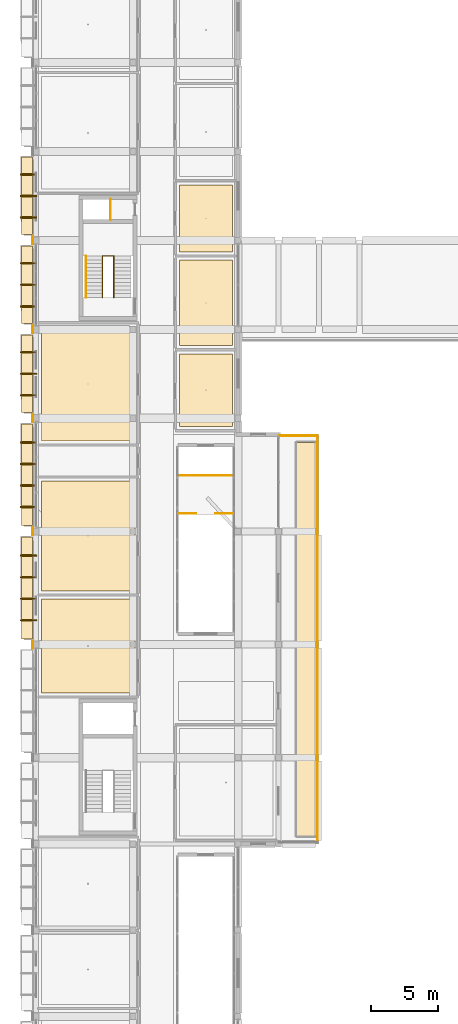
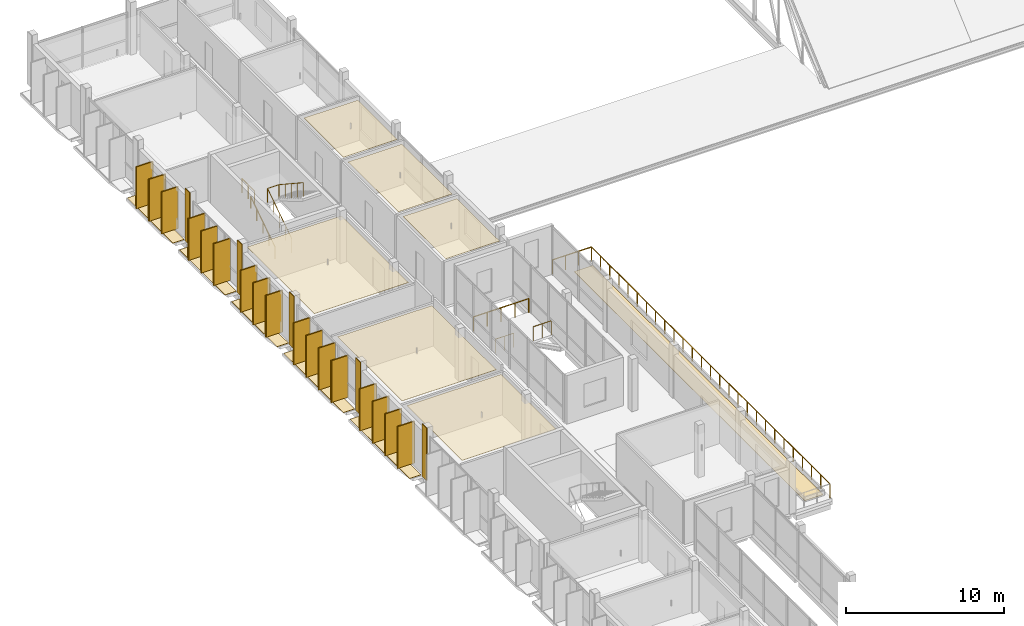
# One storey, part 79 of 86: 34 coverings, 17 shading devices, 8 railings.
"""IFC4 building model written with IfcOpenShell, lengths in metres."""

from ifc_helpers import new_model, si_unit, derived_unit, direction, frame, origin, origin_2d, place, context, subcontext, project, spatial, polyline, rectangle, circle, outline, extrude, material, layer, layer_set, type_object, element, save


model = new_model("IFC4")

# Units and contexts
model_context = context("Model", 3, precision=1e-05, world=origin(), true_north=direction((0.0, 1.0)))
body_context = subcontext(model_context, "Body", "Model", "MODEL_VIEW")
ifc_project = project(units=[si_unit("LENGTHUNIT", "METRE"), si_unit("AREAUNIT", "SQUARE_METRE"), si_unit("VOLUMEUNIT", "CUBIC_METRE"), si_unit("PLANEANGLEUNIT", "RADIAN"), si_unit("MASSUNIT", "GRAM", prefix="KILO"), derived_unit("THERMALTRANSMITTANCEUNIT", [(si_unit("POWERUNIT", "WATT"), 1), (si_unit("LENGTHUNIT", "METRE"), -2), (si_unit("THERMODYNAMICTEMPERATUREUNIT", "KELVIN"), -1)])], contexts=[model_context])

# Site, building, storey
site_placement = place(None, origin())
site = spatial("IfcSite", under=ifc_project, at=site_placement, CompositionType="ELEMENT")
building_placement = place(site_placement, origin())
building = spatial("IfcBuilding", under=site, at=building_placement, Name="Braskholm Square Health Centre", CompositionType="ELEMENT")
storey_placement = place(building_placement, frame((0.0, 0.0, 13.5)))
storey = spatial("IfcBuildingStorey", under=building, at=storey_placement, Name="L04", CompositionType="ELEMENT", Elevation=13.5)

# Coverings
ifc_material_1 = material(Name="Fire-rated gypsum board barrier")
ifc_layer_1 = layer(ifc_material_1, 0.02490234375)
ifc_layer_set_1 = layer_set([ifc_layer_1], Name="Fire-rated gypsum board barrier")
covering_type_1 = type_object("IfcCoveringType", Name="AcousticClinicalCeilingTile", PredefinedType="CEILING", material=ifc_layer_set_1)
covering_1_placement = place(storey_placement, frame((0.0, 0.0, 3.31494140625)))
element("IfcCovering", 1, at=covering_1_placement, inside=storey, type_object=covering_type_1, Name="Acoustic ceiling L04-103", PredefinedType="CEILING", context=body_context, shape_type="SweptSolid", body=[
    extrude(outline(polyline([(4.6201171875, 60.199951171875), (11.5, 60.199951171875), (11.5, 67.179931640625), (4.6201171875, 67.179931640625), (4.6201171875, 60.199951171875)])), origin(), (0.0, 0.0, 1.0), 0.025146484375),
])
covering_2_placement = place(storey_placement, frame((0.0, 0.0, 3.31494140625)))
element("IfcCovering", 2, at=covering_2_placement, inside=storey, type_object=covering_type_1, Name="Acoustic ceiling L04-104", PredefinedType="CEILING", context=body_context, shape_type="SweptSolid", body=[
    extrude(outline(polyline([(4.6201171875, 67.780029296875), (11.5, 67.780029296875), (11.5, 75.949951171875), (4.6201171875, 75.949951171875), (4.6201171875, 67.780029296875)])), origin(), (0.0, 0.0, 1.0), 0.025146484375),
])
covering_3_placement = place(storey_placement, frame((0.0, 0.0, 3.31494140625)))
element("IfcCovering", 3, at=covering_3_placement, inside=storey, type_object=covering_type_1, Name="Acoustic ceiling L04-106", PredefinedType="CEILING", context=body_context, shape_type="SweptSolid", body=[
    extrude(outline(polyline([(4.6201171875, 78.89990234375), (11.5, 78.89990234375), (11.5, 87.39990234375), (4.6201171875, 87.39990234375), (4.6201171875, 78.89990234375)])), origin(), (0.0, 0.0, 1.0), 0.025146484375),
])
covering_4_placement = place(storey_placement, frame((0.0, 0.0, 3.31494140625)))
element("IfcCovering", 4, at=covering_4_placement, inside=storey, type_object=covering_type_1, Name="Acoustic ceiling L04-115", PredefinedType="CEILING", context=body_context, shape_type="SweptSolid", body=[
    extrude(outline(polyline([(14.85009765625, 79.97998046875), (18.780029296875, 79.97998046875), (18.780029296875, 85.3798828125), (14.85009765625, 85.3798828125), (14.85009765625, 79.97998046875)])), origin(), (0.0, 0.0, 1.0), 0.025146484375),
])
covering_5_placement = place(storey_placement, frame((0.0, 0.0, 3.31494140625)))
element("IfcCovering", 5, at=covering_5_placement, inside=storey, type_object=covering_type_1, Name="Acoustic ceiling L04-116", PredefinedType="CEILING", context=body_context, shape_type="SweptSolid", body=[
    extrude(outline(polyline([(14.85009765625, 85.97998046875), (18.780029296875, 85.97998046875), (18.780029296875, 92.330078125), (14.85009765625, 92.330078125), (14.85009765625, 85.97998046875)])), origin(), (0.0, 0.0, 1.0), 0.025146484375),
])
covering_6_placement = place(storey_placement, frame((0.0, 0.0, 3.31494140625)))
element("IfcCovering", 6, at=covering_6_placement, inside=storey, type_object=covering_type_1, Name="Acoustic ceiling L04-117", PredefinedType="CEILING", context=body_context, shape_type="SweptSolid", body=[
    extrude(outline(polyline([(14.85009765625, 92.929931640625), (18.780029296875, 92.929931640625), (18.780029296875, 97.929931640625), (14.85009765625, 97.929931640625), (14.85009765625, 92.929931640625)])), origin(), (0.0, 0.0, 1.0), 0.025146484375),
])

# Railings
ifc_material_2 = material(Name="Dark patinated chevron architectural bronze", Category="aluminium")
railing_type_1 = type_object("IfcRailingType", Name="BronzeChevronGuardrail1100", PredefinedType="GUARDRAIL", material=ifc_material_2)
railing_1_placement = place(storey_placement, frame((9.719970703125, 95.320068359375, 0.0)))
element("IfcRailing", 7, at=railing_1_placement, inside=storey, type_object=railing_type_1, Name="Core K3 riser shaft maintenance guard L04", PredefinedType="GUARDRAIL", context=body_context, shape_type="SweptSolid", body=[
    extrude(circle(Radius=0.02392578125, at=origin_2d()), frame((0.0, 0.0, 1.076171875), z_axis=(0.0, 1.0, 0.0), x_axis=(-1.0, 0.0, 0.0)), (0.0, 0.0, 1.0), 1.559814453125),
    extrude(circle(Radius=0.02099609375, at=origin_2d()), origin(), (0.0, 0.0, 1.0), 1.052001953125),
    extrude(circle(Radius=0.02099609375, at=origin_2d()), frame((0.0, 0.77978515625, 0.0)), (0.0, 0.0, 1.0), 1.052001953125),
    extrude(circle(Radius=0.02099609375, at=origin_2d()), frame((0.0, 1.559814453125, 0.0)), (0.0, 0.0, 1.0), 1.052001953125),
])
railing_2_placement = place(storey_placement, frame((9.1298828125, 89.56005859375, 0.0)))
element("IfcRailing", 8, at=railing_2_placement, inside=storey, type_object=railing_type_1, Name="Stair ST-03 inner well guardrail L04", PredefinedType="GUARDRAIL", context=body_context, shape_type="SweptSolid", body=[
    extrude(circle(Radius=0.02392578125, at=origin_2d()), frame((0.0, 0.0, 1.076171875), z_axis=(0.0, 0.83557951683, 0.54936952141), x_axis=(-1.0, 0.0, 0.0)), (0.0, 0.0, 1.0), 3.685791015625),
    extrude(circle(Radius=0.02392578125, at=origin_2d()), frame((0.0, 3.079833984375, 3.10107421875), z_axis=(1.0, 0.0, 0.0), x_axis=(0.0, 1.0, 0.0)), (0.0, 0.0, 1.0), 0.840087890625),
    extrude(circle(Radius=0.02392578125, at=origin_2d()), frame((0.840087890625, 3.079833984375, 3.10107421875), z_axis=(0.0, -0.835549111106, 0.549415765091), x_axis=(1.0, 0.0, 0.0)), (0.0, 0.0, 1.0), 3.68603515625),
    extrude(circle(Radius=0.02099609375, at=origin_2d()), origin(), (0.0, 0.0, 1.0), 1.052001953125),
    extrude(circle(Radius=0.02099609375, at=origin_2d()), frame((0.0, 0.77001953125, 0.50634765625)), (0.0, 0.0, 1.0), 1.052001953125),
    extrude(circle(Radius=0.02099609375, at=origin_2d()), frame((0.0, 1.5400390625, 1.012451171875)), (0.0, 0.0, 1.0), 1.052001953125),
    extrude(circle(Radius=0.02099609375, at=origin_2d()), frame((0.0, 2.309814453125, 1.5185546875)), (0.0, 0.0, 1.0), 1.052001953125),
    extrude(circle(Radius=0.02099609375, at=origin_2d()), frame((0.0, 3.079833984375, 2.02490234375)), (0.0, 0.0, 1.0), 1.052001953125),
    extrude(circle(Radius=0.02099609375, at=origin_2d()), frame((0.840087890625, 3.079833984375, 2.02490234375)), (0.0, 0.0, 1.0), 1.052001953125),
    extrude(circle(Radius=0.02099609375, at=origin_2d()), frame((0.840087890625, 2.309814453125, 2.53125)), (0.0, 0.0, 1.0), 1.052001953125),
    extrude(circle(Radius=0.02099609375, at=origin_2d()), frame((0.840087890625, 1.5400390625, 3.03759765625)), (0.0, 0.0, 1.0), 1.052001953125),
    extrude(circle(Radius=0.02099609375, at=origin_2d()), frame((0.840087890625, 0.77001953125, 3.543701171875)), (0.0, 0.0, 1.0), 1.052001953125),
    extrude(circle(Radius=0.02099609375, at=origin_2d()), frame((0.840087890625, 0.0, 4.050048828125)), (0.0, 0.0, 1.0), 1.052001953125),
])
railing_3_placement = place(storey_placement, frame((14.780029296875, 76.35009765625, 0.0)))
element("IfcRailing", 9, at=railing_3_placement, inside=storey, type_object=railing_type_1, Name="Atrium stair landing edge guard 13", PredefinedType="GUARDRAIL", context=body_context, shape_type="SweptSolid", body=[
    extrude(circle(Radius=0.02392578125, at=origin_2d()), frame((0.0, 0.0, 1.076171875), z_axis=(1.0, 0.0, 0.0), x_axis=(0.0, 1.0, 0.0)), (0.0, 0.0, 1.0), 4.0400390625),
    extrude(circle(Radius=0.02099609375, at=origin_2d()), origin(), (0.0, 0.0, 1.0), 1.052001953125),
    extrude(circle(Radius=0.02099609375, at=origin_2d()), frame((1.010009765625, 0.0, 0.0)), (0.0, 0.0, 1.0), 1.052001953125),
    extrude(circle(Radius=0.02099609375, at=origin_2d()), frame((2.02001953125, 0.0, 0.0)), (0.0, 0.0, 1.0), 1.052001953125),
    extrude(circle(Radius=0.02099609375, at=origin_2d()), frame((3.030029296875, 0.0, 0.0)), (0.0, 0.0, 1.0), 1.052001953125),
    extrude(circle(Radius=0.02099609375, at=origin_2d()), frame((4.0400390625, 0.0, 0.0)), (0.0, 0.0, 1.0), 1.052001953125),
])
for number, where, name in (
    (10, (14.780029296875, 73.52001953125, 0.0), "Atrium stair landing edge guard 14"),
    (11, (17.52001953125, 73.52001953125, 0.0), "Atrium stair landing edge guard 15"),
):
    element("IfcRailing", number, at=place(storey_placement, frame(where)), inside=storey, type_object=railing_type_1, Name=name, PredefinedType="GUARDRAIL", context=body_context, shape_type="SweptSolid", body=[
        extrude(circle(Radius=0.02392578125, at=origin_2d()), frame((0.0, 0.0, 1.076171875), z_axis=(1.0, 0.0, 0.0), x_axis=(0.0, 1.0, 0.0)), (0.0, 0.0, 1.0), 1.300048828125),
        extrude(circle(Radius=0.02099609375, at=origin_2d()), origin(), (0.0, 0.0, 1.0), 1.052001953125),
        extrude(circle(Radius=0.02099609375, at=origin_2d()), frame((0.64990234375, 0.0, 0.0)), (0.0, 0.0, 1.0), 1.052001953125),
        extrude(circle(Radius=0.02099609375, at=origin_2d()), frame((1.300048828125, 0.0, 0.0)), (0.0, 0.0, 1.0), 1.052001953125),
    ])
railing_4_placement = place(storey_placement, frame((25.10009765625, 49.10009765625, 0.0)))
element("IfcRailing", 12, at=railing_4_placement, inside=storey, type_object=railing_type_1, Name="Bronze chevron guardrail 0042 L04", PredefinedType="GUARDRAIL", context=body_context, shape_type="SweptSolid", body=[
    extrude(circle(Radius=0.02392578125, at=origin_2d()), frame((0.0, 0.0, 1.076171875), z_axis=(0.0, 1.0, 0.0), x_axis=(-1.0, 0.0, 0.0)), (0.0, 0.0, 1.0), 30.199951171875),
    extrude(circle(Radius=0.02099609375, at=origin_2d()), origin(), (0.0, 0.0, 1.0), 1.052001953125),
    extrude(circle(Radius=0.02099609375, at=origin_2d()), frame((0.0, 1.16162109375, 0.0)), (0.0, 0.0, 1.0), 1.052001953125),
    extrude(circle(Radius=0.02099609375, at=origin_2d()), frame((0.0, 2.322998046875, 0.0)), (0.0, 0.0, 1.0), 1.052001953125),
    extrude(circle(Radius=0.02099609375, at=origin_2d()), frame((0.0, 3.484619140625, 0.0)), (0.0, 0.0, 1.0), 1.052001953125),
    extrude(circle(Radius=0.02099609375, at=origin_2d()), frame((0.0, 4.646240234375, 0.0)), (0.0, 0.0, 1.0), 1.052001953125),
    extrude(circle(Radius=0.02099609375, at=origin_2d()), frame((0.0, 5.8076171875, 0.0)), (0.0, 0.0, 1.0), 1.052001953125),
    extrude(circle(Radius=0.02099609375, at=origin_2d()), frame((0.0, 6.96923828125, 0.0)), (0.0, 0.0, 1.0), 1.052001953125),
    extrude(circle(Radius=0.02099609375, at=origin_2d()), frame((0.0, 8.130859375, 0.0)), (0.0, 0.0, 1.0), 1.052001953125),
    extrude(circle(Radius=0.02099609375, at=origin_2d()), frame((0.0, 9.292236328125, 0.0)), (0.0, 0.0, 1.0), 1.052001953125),
    extrude(circle(Radius=0.02099609375, at=origin_2d()), frame((0.0, 10.453857421875, 0.0)), (0.0, 0.0, 1.0), 1.052001953125),
    extrude(circle(Radius=0.02099609375, at=origin_2d()), frame((0.0, 11.615478515625, 0.0)), (0.0, 0.0, 1.0), 1.052001953125),
    extrude(circle(Radius=0.02099609375, at=origin_2d()), frame((0.0, 12.77685546875, 0.0)), (0.0, 0.0, 1.0), 1.052001953125),
    extrude(circle(Radius=0.02099609375, at=origin_2d()), frame((0.0, 13.9384765625, 0.0)), (0.0, 0.0, 1.0), 1.052001953125),
    extrude(circle(Radius=0.02099609375, at=origin_2d()), frame((0.0, 15.10009765625, 0.0)), (0.0, 0.0, 1.0), 1.052001953125),
    extrude(circle(Radius=0.02099609375, at=origin_2d()), frame((0.0, 16.261474609375, 0.0)), (0.0, 0.0, 1.0), 1.052001953125),
    extrude(circle(Radius=0.02099609375, at=origin_2d()), frame((0.0, 17.423095703125, 0.0)), (0.0, 0.0, 1.0), 1.052001953125),
    extrude(circle(Radius=0.02099609375, at=origin_2d()), frame((0.0, 18.58447265625, 0.0)), (0.0, 0.0, 1.0), 1.052001953125),
    extrude(circle(Radius=0.02099609375, at=origin_2d()), frame((0.0, 19.74609375, 0.0)), (0.0, 0.0, 1.0), 1.052001953125),
    extrude(circle(Radius=0.02099609375, at=origin_2d()), frame((0.0, 20.90771484375, 0.0)), (0.0, 0.0, 1.0), 1.052001953125),
    extrude(circle(Radius=0.02099609375, at=origin_2d()), frame((0.0, 22.069091796875, 0.0)), (0.0, 0.0, 1.0), 1.052001953125),
    extrude(circle(Radius=0.02099609375, at=origin_2d()), frame((0.0, 23.230712890625, 0.0)), (0.0, 0.0, 1.0), 1.052001953125),
    extrude(circle(Radius=0.02099609375, at=origin_2d()), frame((0.0, 24.392333984375, 0.0)), (0.0, 0.0, 1.0), 1.052001953125),
    extrude(circle(Radius=0.02099609375, at=origin_2d()), frame((0.0, 25.5537109375, 0.0)), (0.0, 0.0, 1.0), 1.052001953125),
    extrude(circle(Radius=0.02099609375, at=origin_2d()), frame((0.0, 26.71533203125, 0.0)), (0.0, 0.0, 1.0), 1.052001953125),
    extrude(circle(Radius=0.02099609375, at=origin_2d()), frame((0.0, 27.876953125, 0.0)), (0.0, 0.0, 1.0), 1.052001953125),
    extrude(circle(Radius=0.02099609375, at=origin_2d()), frame((0.0, 29.038330078125, 0.0)), (0.0, 0.0, 1.0), 1.052001953125),
    extrude(circle(Radius=0.02099609375, at=origin_2d()), frame((0.0, 30.199951171875, 0.0)), (0.0, 0.0, 1.0), 1.052001953125),
])
railing_5_placement = place(storey_placement, frame((25.10009765625, 79.300048828125, 0.0)))
element("IfcRailing", 13, at=railing_5_placement, inside=storey, type_object=railing_type_1, Name="Bronze chevron guardrail 0043 L04", PredefinedType="GUARDRAIL", context=body_context, shape_type="SweptSolid", body=[
    extrude(circle(Radius=0.02392578125, at=origin_2d()), frame((0.0, 0.0, 1.076171875), z_axis=(-1.0, 0.0, 0.0), x_axis=(0.0, -1.0, 0.0)), (0.0, 0.0, 1.0), 2.85009765625),
    extrude(circle(Radius=0.02099609375, at=origin_2d()), origin(), (0.0, 0.0, 1.0), 1.052001953125),
    extrude(circle(Radius=0.02099609375, at=origin_2d()), frame((-0.949951171875, 0.0, 0.0)), (0.0, 0.0, 1.0), 1.052001953125),
    extrude(circle(Radius=0.02099609375, at=origin_2d()), frame((-1.900146484375, 0.0, 0.0)), (0.0, 0.0, 1.0), 1.052001953125),
    extrude(circle(Radius=0.02099609375, at=origin_2d()), frame((-2.85009765625, 0.0, 0.0)), (0.0, 0.0, 1.0), 1.052001953125),
])

# Shading devices
ifc_material_3 = material(Name="Thermally modified western red cedar with bronze trim", Category="wood")
shading_device_type = type_object("IfcShadingDeviceType", Name="CedarBronzeShadingFin1250", PredefinedType="USERDEFINED", material=ifc_material_3)
for number, where, z_axis, x_axis, name in (
    (14, (3.635009765625, 65.60009765625, 0.0), (0.0, 0.0, 1.0), (1.0, 0.0, 0.0), "Warm cedar-bronze vertical shading slat 0131"),
    (15, (3.635009765625, 67.199951171875, 0.0), (0.0, 0.0, 1.0), (1.0, 0.0, 0.0), "Warm cedar-bronze vertical shading slat 0132"),
    (16, (3.635009765625, 68.800048828125, 0.0), (0.0, 0.0, 1.0), (1.0, 0.0, 0.0), "Warm cedar-bronze vertical shading slat 0133"),
    (17, (3.635009765625, 70.39990234375, 0.0), (0.0, 0.0, 1.0), (1.0, 0.0, 0.0), "Warm cedar-bronze vertical shading slat 0134"),
    (18, (3.635009765625, 74.0, 0.0), (0.0, 0.0, 1.0), (1.0, 0.0, 0.0), "Warm cedar-bronze vertical shading slat 0135"),
    (19, (3.635009765625, 75.60009765625, 0.0), (0.0, 0.0, 1.0), (1.0, 0.0, 0.0), "Warm cedar-bronze vertical shading slat 0136"),
    (20, (3.635009765625, 77.199951171875, 0.0), (0.0, 0.0, 1.0), (1.0, 0.0, 0.0), "Warm cedar-bronze vertical shading slat 0137"),
    (21, (3.635009765625, 78.800048828125, 0.0), (0.0, 0.0, 1.0), (1.0, 0.0, 0.0), "Warm cedar-bronze vertical shading slat 0138"),
    (22, (3.635009765625, 82.300048828125, 0.0), (0.0, 0.0, 1.0), (1.0, 0.0, 0.0), "Warm cedar-bronze vertical shading slat 0139"),
    (23, (3.635009765625, 83.89990234375, 0.0), (0.0, 0.0, 1.0), (1.0, 0.0, 0.0), "Warm cedar-bronze vertical shading slat 0140"),
    (24, (3.635009765625, 85.5, 0.0), (0.0, 0.0, 1.0), (1.0, 0.0, 0.0), "Warm cedar-bronze vertical shading slat 0141"),
    (25, (3.635009765625, 88.89990234375, 0.0), (0.0, 0.0, 1.0), (1.0, 0.0, 0.0), "Warm cedar-bronze vertical shading slat 0142"),
    (26, (3.635009765625, 90.5, 0.0), (0.0, 0.0, 1.0), (1.0, 0.0, 0.0), "Warm cedar-bronze vertical shading slat 0143"),
    (27, (3.635009765625, 92.10009765625, 0.0), (0.0, 0.0, 1.0), (1.0, 0.0, 0.0), "Warm cedar-bronze vertical shading slat 0144"),
    (28, (3.635009765625, 95.5, 0.0), (0.0, 0.0, 1.0), (1.0, 0.0, 0.0), "Warm cedar-bronze vertical shading slat 0145"),
    (29, (3.635009765625, 97.10009765625, 0.0), (0.0, 0.0, 1.0), (1.0, 0.0, 0.0), "Warm cedar-bronze vertical shading slat 0146"),
    (30, (3.635009765625, 98.699951171875, 0.0), (0.0, 0.0, 1.0), (1.0, 0.0, 0.0), "Warm cedar-bronze vertical shading slat 0147"),
):
    element("IfcShadingDevice", number, at=place(storey_placement, frame(where, z_axis=z_axis, x_axis=x_axis)), inside=storey, type_object=shading_device_type, Name=name, ObjectType="FIN", PredefinedType="USERDEFINED", context=body_context, shape_type="SweptSolid", body=[
        extrude(rectangle(XDim=1.25, YDim=0.0849609375, at=origin_2d()), origin(), (0.0, 0.0, 1.0), 3.25),
    ])

# Coverings
ifc_layer_2 = layer(ifc_material_3, 0.0849609375)
ifc_layer_set_2 = layer_set([ifc_layer_2], Name="Thermally modified western red cedar with bronze trim")
covering_type_2 = type_object("IfcCoveringType", Name="CedarBronzeSlatCladding", PredefinedType="CLADDING", material=ifc_layer_set_2)
for number, where, z_axis, x_axis, name in (
    (31, (3.6298828125, 65.60009765625, 0.0), (0.0, 0.0, 1.0), (1.0, 0.0, 0.0), "Cedar-bronze shading slat trim 0567"),
    (32, (3.6298828125, 67.199951171875, 0.0), (0.0, 0.0, 1.0), (1.0, 0.0, 0.0), "Cedar-bronze shading slat trim 0568"),
    (33, (3.6298828125, 68.800048828125, 0.0), (0.0, 0.0, 1.0), (1.0, 0.0, 0.0), "Cedar-bronze shading slat trim 0569"),
    (34, (3.6298828125, 70.39990234375, 0.0), (0.0, 0.0, 1.0), (1.0, 0.0, 0.0), "Cedar-bronze shading slat trim 0570"),
    (35, (3.6298828125, 74.0, 0.0), (0.0, 0.0, 1.0), (1.0, 0.0, 0.0), "Cedar-bronze shading slat trim 0572"),
    (36, (3.6298828125, 75.60009765625, 0.0), (0.0, 0.0, 1.0), (1.0, 0.0, 0.0), "Cedar-bronze shading slat trim 0573"),
    (37, (3.6298828125, 77.199951171875, 0.0), (0.0, 0.0, 1.0), (1.0, 0.0, 0.0), "Cedar-bronze shading slat trim 0574"),
    (38, (3.6298828125, 78.800048828125, 0.0), (0.0, 0.0, 1.0), (1.0, 0.0, 0.0), "Cedar-bronze shading slat trim 0575"),
    (39, (3.6298828125, 82.300048828125, 0.0), (0.0, 0.0, 1.0), (1.0, 0.0, 0.0), "Cedar-bronze shading slat trim 0577"),
    (40, (3.6298828125, 83.89990234375, 0.0), (0.0, 0.0, 1.0), (1.0, 0.0, 0.0), "Cedar-bronze shading slat trim 0578"),
    (41, (3.6298828125, 85.5, 0.0), (0.0, 0.0, 1.0), (1.0, 0.0, 0.0), "Cedar-bronze shading slat trim 0579"),
    (42, (3.6298828125, 88.89990234375, 0.0), (0.0, 0.0, 1.0), (1.0, 0.0, 0.0), "Cedar-bronze shading slat trim 0581"),
    (43, (3.6298828125, 90.5, 0.0), (0.0, 0.0, 1.0), (1.0, 0.0, 0.0), "Cedar-bronze shading slat trim 0582"),
    (44, (3.6298828125, 92.10009765625, 0.0), (0.0, 0.0, 1.0), (1.0, 0.0, 0.0), "Cedar-bronze shading slat trim 0583"),
    (45, (3.6298828125, 95.5, 0.0), (0.0, 0.0, 1.0), (1.0, 0.0, 0.0), "Cedar-bronze shading slat trim 0585"),
    (46, (3.6298828125, 97.10009765625, 0.0), (0.0, 0.0, 1.0), (1.0, 0.0, 0.0), "Cedar-bronze shading slat trim 0586"),
    (47, (3.6298828125, 98.699951171875, 0.0), (0.0, 0.0, 1.0), (1.0, 0.0, 0.0), "Cedar-bronze shading slat trim 0587"),
):
    element("IfcCovering", number, at=place(storey_placement, frame(where, z_axis=z_axis, x_axis=x_axis)), inside=storey, type_object=covering_type_2, Name=name, PredefinedType="CLADDING", context=body_context, shape_type="SweptSolid", body=[
        extrude(rectangle(XDim=1.179931640625, YDim=0.094970703125, at=origin_2d()), origin(), (0.0, 0.0, 1.0), 3.25),
    ])
ifc_material_4 = material(Name="Intensive botanical sedum and native prairie garden bed")
ifc_layer_3 = layer(ifc_material_4, 0.02490234375)
ifc_layer_set_3 = layer_set([ifc_layer_3], Name="Intensive botanical sedum and native prairie garden bed")
covering_type_3 = type_object("IfcCoveringType", Name="PlantedTerraceGardenBed", PredefinedType="ROOFING", material=ifc_layer_set_3)
covering_7_placement = place(storey_placement, origin())
element("IfcCovering", 48, at=covering_7_placement, inside=storey, type_object=covering_type_3, Name="West floor planter ledge sedum strip 0571", PredefinedType="ROOFING", context=body_context, shape_type="SweptSolid", body=[
    extrude(outline(polyline([(3.1201171875, 64.219970703125), (3.949951171875, 64.219970703125), (3.949951171875, 71.780029296875), (3.1201171875, 71.780029296875), (3.1201171875, 64.219970703125)])), origin(), (0.0, 0.0, 1.0), 0.02490234375),
])
covering_8_placement = place(storey_placement, origin())
element("IfcCovering", 49, at=covering_8_placement, inside=storey, type_object=covering_type_3, Name="West floor planter ledge sedum strip 0576", PredefinedType="ROOFING", context=body_context, shape_type="SweptSolid", body=[
    extrude(outline(polyline([(3.1201171875, 72.6201171875), (3.949951171875, 72.6201171875), (3.949951171875, 80.179931640625), (3.1201171875, 80.179931640625), (3.1201171875, 72.6201171875)])), origin(), (0.0, 0.0, 1.0), 0.02490234375),
])
covering_9_placement = place(storey_placement, origin())
element("IfcCovering", 50, at=covering_9_placement, inside=storey, type_object=covering_type_3, Name="West floor planter ledge sedum strip 0580", PredefinedType="ROOFING", context=body_context, shape_type="SweptSolid", body=[
    extrude(outline(polyline([(3.1201171875, 81.02001953125), (3.949951171875, 81.02001953125), (3.949951171875, 86.780029296875), (3.1201171875, 86.780029296875), (3.1201171875, 81.02001953125)])), origin(), (0.0, 0.0, 1.0), 0.02490234375),
])
covering_10_placement = place(storey_placement, origin())
element("IfcCovering", 51, at=covering_10_placement, inside=storey, type_object=covering_type_3, Name="West floor planter ledge sedum strip 0584", PredefinedType="ROOFING", context=body_context, shape_type="SweptSolid", body=[
    extrude(outline(polyline([(3.1201171875, 87.6201171875), (3.949951171875, 87.6201171875), (3.949951171875, 93.3798828125), (3.1201171875, 93.3798828125), (3.1201171875, 87.6201171875)])), origin(), (0.0, 0.0, 1.0), 0.02490234375),
])
covering_11_placement = place(storey_placement, origin())
element("IfcCovering", 52, at=covering_11_placement, inside=storey, type_object=covering_type_3, Name="West floor planter ledge sedum strip 0588", PredefinedType="ROOFING", context=body_context, shape_type="SweptSolid", body=[
    extrude(outline(polyline([(3.1201171875, 94.219970703125), (3.949951171875, 94.219970703125), (3.949951171875, 99.97998046875), (3.1201171875, 99.97998046875), (3.1201171875, 94.219970703125)])), origin(), (0.0, 0.0, 1.0), 0.02490234375),
])
covering_12_placement = place(storey_placement, origin())
element("IfcCovering", 53, at=covering_12_placement, inside=storey, type_object=covering_type_3, Name="Planted therapy terrace garden bed 0916", PredefinedType="ROOFING", context=body_context, shape_type="SweptSolid", body=[
    extrude(outline(polyline([(23.550048828125, 49.60009765625), (24.89990234375, 49.60009765625), (24.89990234375, 78.800048828125), (23.550048828125, 78.800048828125), (23.550048828125, 49.60009765625)])), origin(), (0.0, 0.0, 1.0), 0.02490234375),
])
ifc_material_5 = material(Name="Precast concrete C40/50 architectural white", Category="concrete")
ifc_layer_4 = layer(ifc_material_5, 0.054931640625)
ifc_layer_set_4 = layer_set([ifc_layer_4], Name="Precast concrete C40/50 architectural white")
covering_type_4 = type_object("IfcCoveringType", Name="PrecastWhiteColumnCasing", PredefinedType="CLADDING", material=ifc_layer_set_4)
for number, where, z_axis, x_axis, name in (
    (54, (3.965087890625, 63.800048828125, 0.0), (0.0, 0.0, 1.0), (1.0, 0.0, 0.0), "Giant-order white precast column casing 0085"),
    (55, (3.965087890625, 72.199951171875, 0.0), (0.0, 0.0, 1.0), (1.0, 0.0, 0.0), "Giant-order white precast column casing 0094"),
    (56, (3.965087890625, 80.60009765625, 0.0), (0.0, 0.0, 1.0), (1.0, 0.0, 0.0), "Giant-order white precast column casing 0103"),
    (57, (3.965087890625, 87.199951171875, 0.0), (0.0, 0.0, 1.0), (1.0, 0.0, 0.0), "Giant-order white precast column casing 0112"),
    (58, (3.965087890625, 93.800048828125, 0.0), (0.0, 0.0, 1.0), (1.0, 0.0, 0.0), "Giant-order white precast column casing 0121"),
):
    element("IfcCovering", number, at=place(storey_placement, frame(where, z_axis=z_axis, x_axis=x_axis)), inside=storey, type_object=covering_type_4, Name=name, PredefinedType="CLADDING", context=body_context, shape_type="SweptSolid", body=[
        extrude(rectangle(XDim=0.06005859375, YDim=0.60009765625, at=origin_2d()), origin(), (0.0, 0.0, 1.0), 4.050048828125),
    ])

# Railing
railing_type_2 = type_object("IfcRailingType", Name="StairTubularHandrail915", PredefinedType="HANDRAIL", material=ifc_material_2)
railing_6_placement = place(storey_placement, frame((7.89990234375, 89.56005859375, 0.0)))
element("IfcRailing", 59, at=railing_6_placement, inside=storey, type_object=railing_type_2, Name="Stair ST-03 wall handrail F1 L04", PredefinedType="HANDRAIL", context=body_context, shape_type="SweptSolid", body=[
    extrude(circle(Radius=0.02392578125, at=origin_2d()), frame((0.0, 0.0, 0.89111328125), z_axis=(0.0, 0.83557951683, 0.54936952141), x_axis=(-1.0, 0.0, 0.0)), (0.0, 0.0, 1.0), 3.685791015625),
    extrude(circle(Radius=0.02099609375, at=origin_2d()), origin(), (0.0, 0.0, 1.0), 0.866943359375),
    extrude(circle(Radius=0.02099609375, at=origin_2d()), frame((0.0, 0.77001953125, 0.50634765625)), (0.0, 0.0, 1.0), 0.866943359375),
    extrude(circle(Radius=0.02099609375, at=origin_2d()), frame((0.0, 1.5400390625, 1.012451171875)), (0.0, 0.0, 1.0), 0.866943359375),
    extrude(circle(Radius=0.02099609375, at=origin_2d()), frame((0.0, 2.309814453125, 1.5185546875)), (0.0, 0.0, 1.0), 0.866943359375),
    extrude(circle(Radius=0.02099609375, at=origin_2d()), frame((0.0, 3.079833984375, 2.02490234375)), (0.0, 0.0, 1.0), 0.866943359375),
])

save(model, "model.ifc")
